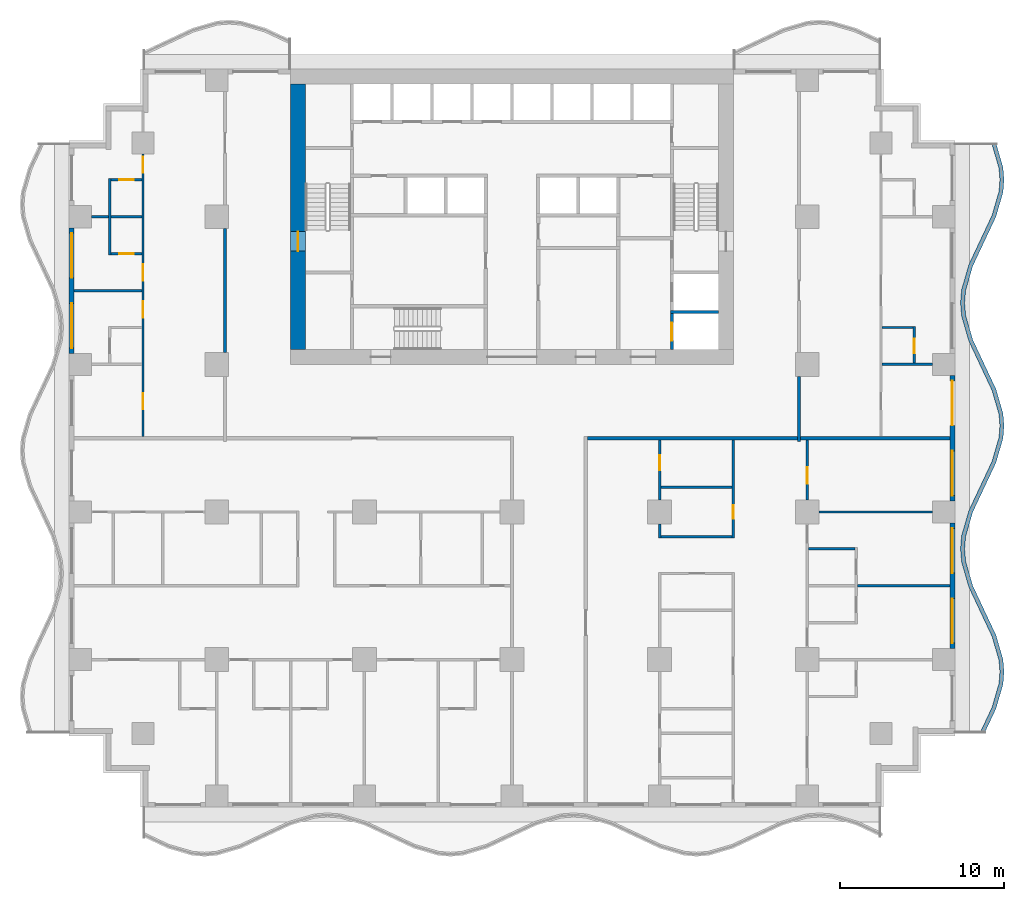
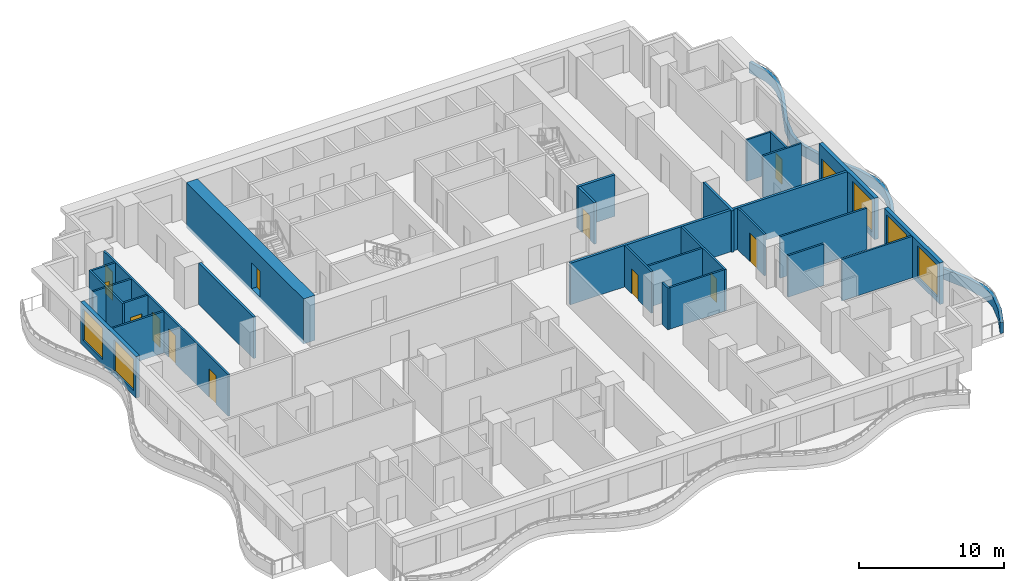
# One storey, part 4 of 13: 30 walls, 13 doors, 5 windows, 18 openings.
"""IFC4 building model written with IfcOpenShell, lengths in metres."""

from ifc_helpers import new_model, si_unit, direction, frame, frame_2d, origin, place, context, subcontext, project, spatial, polyline, rectangle, outline, extrude, material, layer, layer_set, type_object, element, fill, save


model = new_model("IFC4")

# Units and contexts
model_context = context("Model", 3, precision=1e-05, world=origin(), true_north=direction((0.0, 1.0)))
body_context = subcontext(model_context, "Body", "Model", "MODEL_VIEW")
ifc_project = project(units=[si_unit("LENGTHUNIT", "METRE"), si_unit("AREAUNIT", "SQUARE_METRE"), si_unit("VOLUMEUNIT", "CUBIC_METRE"), si_unit("PLANEANGLEUNIT", "RADIAN"), si_unit("MASSUNIT", "GRAM", prefix="KILO")], contexts=[model_context])

# Site, building, storey
site_placement = place(None, origin())
site = spatial("IfcSite", under=ifc_project, at=site_placement, CompositionType="ELEMENT")
building_placement = place(site_placement, origin())
building = spatial("IfcBuilding", under=site, at=building_placement, Name="Orbiselva Terraces", CompositionType="ELEMENT")
storey_placement = place(building_placement, frame((0.0, 0.0, 77.0)))
storey = spatial("IfcBuildingStorey", under=building, at=storey_placement, Name="L19", CompositionType="ELEMENT", Elevation=77.0)

# Wall, opening, door
ifc_material_1 = material(Name="Concrete C80/95", Category="concrete")
ifc_layer_1 = layer(ifc_material_1, 0.9)
ifc_layer_set_1 = layer_set([ifc_layer_1], Name="Concrete C80/95")
wall_type_1 = type_object("IfcWallType", Name="CORE WALL 900", PredefinedType="SHEAR", material=ifc_layer_set_1)
wall_1_placement = place(storey_placement, frame((-13.05, 21.6, -0.3), z_axis=(0.0, 0.0, 1.0), x_axis=(0.0, -1.0, 0.0)))
wall_1 = element("IfcWall", 1, at=wall_1_placement, inside=storey, type_object=wall_type_1, Name="Core wall L19 west", PredefinedType="SHEAR", context=body_context, shape_type="SweptSolid", body=[
    extrude(rectangle(XDim=16.2, YDim=0.9, at=frame_2d((8.1, 0.0))), origin(), (0.0, 0.0, 1.0), 3.8),
])
opening_1_placement = place(wall_1_placement, frame((9.0, 0.0, 0.3)))
opening_1 = element("IfcOpeningElement", 2, at=opening_1_placement, cuts=wall_1, Name="Opening DS1200", PredefinedType="OPENING", context=body_context, shape_type="SweptSolid", body=[
    extrude(rectangle(XDim=1.2, YDim=2.2, at=frame_2d((0.6, 1.1))), frame((0.0, 0.46, 0.0), z_axis=(0.0, -1.0, 0.0), x_axis=(1.0, 0.0, 0.0)), (0.0, 0.0, 1.0), 0.92),
])
ifc_material_2 = material(Name="Steel fire door", Category="steel")
door_type_1 = type_object("IfcDoorType", Name="STAIR DOOR 1200", OperationType="NOTDEFINED", PredefinedType="DOOR", material=ifc_material_2)
door_1_placement = place(opening_1_placement, frame((1.2, 0.0, 0.0), z_axis=(0.0, 0.0, 1.0), x_axis=(-1.0, 0.0, 0.0)))
door_1 = element("IfcDoor", 3, at=door_1_placement, inside=storey, type_object=door_type_1, Name="L19 EXIT STAIR S1 door", OperationType="SINGLE_SWING_RIGHT", OverallHeight=2.2, OverallWidth=1.2, PredefinedType="DOOR", context=body_context, shape_type="SweptSolid", body=[
    extrude(rectangle(XDim=1.2, YDim=2.2, at=frame_2d((0.6, 1.1))), frame((0.0, 0.025, 0.0), z_axis=(0.0, -1.0, 0.0), x_axis=(1.0, 0.0, 0.0)), (0.0, 0.0, 1.0), 0.05),
])
fill(opening_1, door_1)

ifc_material_3 = material(Name="Concrete C60/75", Category="concrete")
ifc_layer_2 = layer(ifc_material_3, 0.2)
ifc_layer_set_2 = layer_set([ifc_layer_2], Name="Concrete C60/75")
wall_type_2 = type_object("IfcWallType", Name="CORE-WALL-SHEAR-200", PredefinedType="SHEAR", material=ifc_layer_set_2)
wall_2_placement = place(storey_placement, frame((9.75, 5.4, 0.0), z_axis=(0.0, 0.0, 1.0), x_axis=(0.0, 1.0, 0.0)))
wall_2 = element("IfcWall", 4, at=wall_2_placement, inside=storey, type_object=wall_type_2, Name="L19 core wall 38", PredefinedType="SHEAR", context=body_context, shape_type="SweptSolid", body=[
    extrude(rectangle(XDim=2.2, YDim=0.2, at=frame_2d((1.1, 0.0))), origin(), (0.0, 0.0, 1.0), 3.5),
])
opening_2_placement = place(wall_2_placement, frame((0.55, 0.0, 0.0)))
opening_2 = element("IfcOpeningElement", 5, at=opening_2_placement, cuts=wall_2, Name="Opening LD-FF1", PredefinedType="OPENING", context=body_context, shape_type="SweptSolid", body=[
    extrude(rectangle(XDim=1.1, YDim=2.1, at=frame_2d((0.55, 1.05))), frame((0.0, 0.11, 0.0), z_axis=(0.0, -1.0, 0.0), x_axis=(1.0, 0.0, 0.0)), (0.0, 0.0, 1.0), 0.22),
])
ifc_material_4 = material(Name="Stainless steel landing door", Category="steel")
door_type_2 = type_object("IfcDoorType", Name="LANDING DOOR 1100", OperationType="SLIDING_TO_LEFT", PredefinedType="DOOR", material=ifc_material_4)
door_2_placement = place(opening_2_placement, origin())
door_2 = element("IfcDoor", 6, at=door_2_placement, inside=storey, type_object=door_type_2, Name="L19 landing door FF1", OperationType="SLIDING_TO_RIGHT", OverallHeight=2.1, OverallWidth=1.1, PredefinedType="DOOR", context=body_context, shape_type="SweptSolid", body=[
    extrude(rectangle(XDim=1.1, YDim=2.1, at=frame_2d((0.55, 1.05))), frame((0.0, 0.025, 0.0), z_axis=(0.0, -1.0, 0.0), x_axis=(1.0, 0.0, 0.0)), (0.0, 0.0, 1.0), 0.05),
])
fill(opening_2, door_2)

# Walls
wall_3_placement = place(storey_placement, frame((9.65, 7.7, 0.0), z_axis=(0.0, 0.0, 1.0), x_axis=(1.0, 0.0, 0.0)))
element("IfcWall", 7, at=wall_3_placement, inside=storey, type_object=wall_type_2, Name="L19 core wall 39", PredefinedType="SHEAR", context=body_context, shape_type="SweptSolid", body=[
    extrude(rectangle(XDim=2.95, YDim=0.2, at=frame_2d((1.475, 0.0))), origin(), (0.0, 0.0, 1.0), 3.5),
])
ifc_material_5 = material(Name="Concrete C40/50", Category="concrete")
ifc_layer_3 = layer(ifc_material_5, 0.25)
ifc_layer_set_3 = layer_set([ifc_layer_3], Name="Concrete C40/50")
wall_type_3 = type_object("IfcWallType", Name="ENV-PLANTER-250x900", PredefinedType="USERDEFINED", material=ifc_layer_set_3)
wall_4_placement = place(storey_placement, origin())
element("IfcWall", 8, at=wall_4_placement, inside=storey, type_object=wall_type_3, Name="Balcony planter L19 E", ObjectType="PLANTER", PredefinedType="USERDEFINED", context=body_context, shape_type="SweptSolid", body=[
    extrude(outline(polyline([(28.8, -18.0), (29.505342, -16.5), (29.941268, -15.0), (30.0, -14.25), (29.941268, -13.5), (29.505342, -12.0), (28.8, -10.5), (28.094658, -9.0), (27.658732, -7.5), (27.6, -6.75), (27.658732, -6.0), (28.094658, -4.5), (28.8, -3.0), (29.505342, -1.5), (29.941268, 0.0), (30.0, 0.75), (29.941268, 1.5), (29.505342, 3.0), (28.8, 4.5), (28.094658, 6.0), (27.658732, 7.5), (27.6, 8.25), (27.658732, 9.0), (28.094658, 10.5), (28.8, 12.0), (29.505342, 13.5), (29.941268, 15.0), (30.0, 15.75), (29.941268, 16.5), (29.505342, 18.0), (29.265274, 17.930232), (29.694035, 16.454886), (29.749235, 15.75), (29.694035, 15.045114), (29.270753, 13.588618), (28.573764, 12.106383), (27.860069, 10.588618), (27.411499, 9.045114), (27.349235, 8.25), (27.411499, 7.454886), (27.860069, 5.911382), (28.573764, 4.393617), (29.270753, 2.911382), (29.694035, 1.454886), (29.749235, 0.75), (29.694035, 0.045114), (29.270753, -1.411382), (28.573764, -2.893617), (27.860069, -4.411382), (27.411499, -5.954886), (27.349235, -6.75), (27.411499, -7.545114), (27.860069, -9.088618), (28.573764, -10.606383), (29.270753, -12.088618), (29.694035, -13.545114), (29.749235, -14.25), (29.694035, -14.954886), (29.270753, -16.411382), (28.573764, -17.893617), (28.8, -18.0)])), origin(), (0.0, 0.0, 1.0), 0.9),
])

# Wall, openings, windows
ifc_material_6 = material(Name="Terracotta cladding on masonry backing", Category="masonry")
ifc_layer_4 = layer(ifc_material_6, 0.3)
ifc_layer_set_4 = layer_set([ifc_layer_4], Name="Terracotta cladding on masonry backing")
wall_type_4 = type_object("IfcWallType", Name="ENV-WALL-TERRACOTTA-300", PredefinedType="SOLIDWALL", material=ifc_layer_set_4)
wall_5_placement = place(storey_placement, frame((26.85, -5.175, 0.0), z_axis=(0.0, 0.0, 1.0), x_axis=(0.0, -1.0, 0.0)))
wall_5 = element("IfcWall", 9, at=wall_5_placement, inside=storey, type_object=wall_type_4, Name="Facade wall L19 E", PredefinedType="SOLIDWALL", context=body_context, shape_type="SweptSolid", body=[
    extrude(rectangle(XDim=7.65, YDim=0.3, at=frame_2d((3.825, 0.0))), origin(), (0.0, 0.0, 1.0), 3.5),
])
opening_3_placement = place(wall_5_placement, frame((4.6, 0.0, 0.45)))
opening_3 = element("IfcOpeningElement", 10, at=opening_3_placement, cuts=wall_5, Name="Opening WN5", PredefinedType="OPENING", context=body_context, shape_type="SweptSolid", body=[
    extrude(rectangle(XDim=2.725, YDim=2.65, at=frame_2d((1.3625, 1.325))), frame((0.0, 0.16, 0.0), z_axis=(0.0, -1.0, 0.0), x_axis=(1.0, 0.0, 0.0)), (0.0, 0.0, 1.0), 0.32),
])
opening_4_placement = place(wall_5_placement, frame((0.325, 0.0, 0.45)))
opening_4 = element("IfcOpeningElement", 11, at=opening_4_placement, cuts=wall_5, Name="Opening WN5", PredefinedType="OPENING", context=body_context, shape_type="SweptSolid", body=[
    extrude(rectangle(XDim=2.725, YDim=2.65, at=frame_2d((1.3625, 1.325))), frame((0.0, 0.16, 0.0), z_axis=(0.0, -1.0, 0.0), x_axis=(1.0, 0.0, 0.0)), (0.0, 0.0, 1.0), 0.32),
])
ifc_material_7 = material(Name="Clear low-e glazing in aluminium frame", Category="aluminium")
window_type = type_object("IfcWindowType", Name="WINDOW 2725 X 2650 S450", PartitioningType="TRIPLE_PANEL_VERTICAL", PredefinedType="WINDOW", material=ifc_material_7)
window_1_placement = place(opening_3_placement, origin())
window_1 = element("IfcWindow", 12, at=window_1_placement, inside=storey, type_object=window_type, Name="Window L19 E", OverallHeight=2.65, OverallWidth=2.725, PartitioningType="SINGLE_PANEL", PredefinedType="WINDOW", context=body_context, shape_type="SweptSolid", body=[
    extrude(rectangle(XDim=2.725, YDim=2.65, at=frame_2d((1.3625, 1.325))), frame((0.0, 0.03, 0.0), z_axis=(0.0, -1.0, 0.0), x_axis=(1.0, 0.0, 0.0)), (0.0, 0.0, 1.0), 0.06),
])
fill(opening_3, window_1)
window_2_placement = place(opening_4_placement, origin())
window_2 = element("IfcWindow", 13, at=window_2_placement, inside=storey, type_object=window_type, Name="Window L19 E", OverallHeight=2.65, OverallWidth=2.725, PartitioningType="SINGLE_PANEL", PredefinedType="WINDOW", context=body_context, shape_type="SweptSolid", body=[
    extrude(rectangle(XDim=2.725, YDim=2.65, at=frame_2d((1.3625, 1.325))), frame((0.0, 0.03, 0.0), z_axis=(0.0, -1.0, 0.0), x_axis=(1.0, 0.0, 0.0)), (0.0, 0.0, 1.0), 0.06),
])
fill(opening_4, window_2)

# Wall, openings, door, window
wall_6_placement = place(storey_placement, frame((26.85, 3.825, 0.0), z_axis=(0.0, 0.0, 1.0), x_axis=(0.0, -1.0, 0.0)))
wall_6 = element("IfcWall", 14, at=wall_6_placement, inside=storey, type_object=wall_type_4, Name="Facade wall L19 E", PredefinedType="SOLIDWALL", context=body_context, shape_type="SweptSolid", body=[
    extrude(rectangle(XDim=7.65, YDim=0.3, at=frame_2d((3.825, 0.0))), origin(), (0.0, 0.0, 1.0), 3.5),
])
opening_5_placement = place(wall_6_placement, frame((4.6, 0.0, 0.45)))
opening_5 = element("IfcOpeningElement", 15, at=opening_5_placement, cuts=wall_6, Name="Opening WN5", PredefinedType="OPENING", context=body_context, shape_type="SweptSolid", body=[
    extrude(rectangle(XDim=2.725, YDim=2.65, at=frame_2d((1.3625, 1.325))), frame((0.0, 0.16, 0.0), z_axis=(0.0, -1.0, 0.0), x_axis=(1.0, 0.0, 0.0)), (0.0, 0.0, 1.0), 0.32),
])
opening_6_placement = place(wall_6_placement, frame((0.325, 0.0, 0.0)))
opening_6 = element("IfcOpeningElement", 16, at=opening_6_placement, cuts=wall_6, Name="Opening Z2-A-E06", PredefinedType="OPENING", context=body_context, shape_type="SweptSolid", body=[
    extrude(rectangle(XDim=2.725, YDim=2.4, at=frame_2d((1.3625, 1.2))), frame((0.0, 0.16, 0.0), z_axis=(0.0, -1.0, 0.0), x_axis=(1.0, 0.0, 0.0)), (0.0, 0.0, 1.0), 0.32),
])
door_type_3 = type_object("IfcDoorType", Name="BALCONY DOOR 2725 X 2400", OperationType="DOUBLE_DOOR_SLIDING", PredefinedType="DOOR", material=ifc_material_7)
door_3_placement = place(opening_6_placement, origin())
door_3 = element("IfcDoor", 17, at=door_3_placement, inside=storey, type_object=door_type_3, Name="Z2-A-E06", OperationType="SINGLE_SWING_LEFT", OverallHeight=2.4, OverallWidth=2.725, PredefinedType="DOOR", context=body_context, shape_type="SweptSolid", body=[
    extrude(rectangle(XDim=2.725, YDim=2.4, at=frame_2d((1.3625, 1.2))), frame((0.0, 0.025, 0.0), z_axis=(0.0, -1.0, 0.0), x_axis=(1.0, 0.0, 0.0)), (0.0, 0.0, 1.0), 0.05),
])
fill(opening_6, door_3)
window_3_placement = place(opening_5_placement, origin())
window_3 = element("IfcWindow", 18, at=window_3_placement, inside=storey, type_object=window_type, Name="Window L19 E", OverallHeight=2.65, OverallWidth=2.725, PartitioningType="SINGLE_PANEL", PredefinedType="WINDOW", context=body_context, shape_type="SweptSolid", body=[
    extrude(rectangle(XDim=2.725, YDim=2.65, at=frame_2d((1.3625, 1.325))), frame((0.0, 0.03, 0.0), z_axis=(0.0, -1.0, 0.0), x_axis=(1.0, 0.0, 0.0)), (0.0, 0.0, 1.0), 0.06),
])
fill(opening_5, window_3)

# Wall, openings, windows
wall_7_placement = place(storey_placement, frame((-26.85, 5.175, 0.0), z_axis=(0.0, 0.0, 1.0), x_axis=(0.0, 1.0, 0.0)))
wall_7 = element("IfcWall", 19, at=wall_7_placement, inside=storey, type_object=wall_type_4, Name="Facade wall L19 W", PredefinedType="SOLIDWALL", context=body_context, shape_type="SweptSolid", body=[
    extrude(rectangle(XDim=7.65, YDim=0.3, at=frame_2d((3.825, 0.0))), origin(), (0.0, 0.0, 1.0), 3.5),
])
opening_7_placement = place(wall_7_placement, frame((4.6, 0.0, 0.45)))
opening_7 = element("IfcOpeningElement", 20, at=opening_7_placement, cuts=wall_7, Name="Opening WN5", PredefinedType="OPENING", context=body_context, shape_type="SweptSolid", body=[
    extrude(rectangle(XDim=2.725, YDim=2.65, at=frame_2d((1.3625, 1.325))), frame((0.0, 0.16, 0.0), z_axis=(0.0, -1.0, 0.0), x_axis=(1.0, 0.0, 0.0)), (0.0, 0.0, 1.0), 0.32),
])
opening_8_placement = place(wall_7_placement, frame((0.325, 0.0, 0.45)))
opening_8 = element("IfcOpeningElement", 21, at=opening_8_placement, cuts=wall_7, Name="Opening WN5", PredefinedType="OPENING", context=body_context, shape_type="SweptSolid", body=[
    extrude(rectangle(XDim=2.725, YDim=2.65, at=frame_2d((1.3625, 1.325))), frame((0.0, 0.16, 0.0), z_axis=(0.0, -1.0, 0.0), x_axis=(1.0, 0.0, 0.0)), (0.0, 0.0, 1.0), 0.32),
])
window_4_placement = place(opening_7_placement, origin())
window_4 = element("IfcWindow", 22, at=window_4_placement, inside=storey, type_object=window_type, Name="Window L19 W", OverallHeight=2.65, OverallWidth=2.725, PartitioningType="SINGLE_PANEL", PredefinedType="WINDOW", context=body_context, shape_type="SweptSolid", body=[
    extrude(rectangle(XDim=2.725, YDim=2.65, at=frame_2d((1.3625, 1.325))), frame((0.0, 0.03, 0.0), z_axis=(0.0, -1.0, 0.0), x_axis=(1.0, 0.0, 0.0)), (0.0, 0.0, 1.0), 0.06),
])
fill(opening_7, window_4)
window_5_placement = place(opening_8_placement, origin())
window_5 = element("IfcWindow", 23, at=window_5_placement, inside=storey, type_object=window_type, Name="Window L19 W", OverallHeight=2.65, OverallWidth=2.725, PartitioningType="SINGLE_PANEL", PredefinedType="WINDOW", context=body_context, shape_type="SweptSolid", body=[
    extrude(rectangle(XDim=2.725, YDim=2.65, at=frame_2d((1.3625, 1.325))), frame((0.0, 0.03, 0.0), z_axis=(0.0, -1.0, 0.0), x_axis=(1.0, 0.0, 0.0)), (0.0, 0.0, 1.0), 0.06),
])
fill(opening_8, window_5)

# Walls
ifc_material_8 = material(Name="Plasterboard on steel stud partition", Category="steel")
ifc_layer_5 = layer(ifc_material_8, 0.2)
ifc_layer_set_5 = layer_set([ifc_layer_5], Name="Plasterboard on steel stud partition")
wall_type_5 = type_object("IfcWallType", Name="UNIT-ENTRANCE-WALL-200", PredefinedType="PARTITIONING", material=ifc_layer_set_5)
wall_8_placement = place(storey_placement, frame((4.6, 0.0, 0.0), z_axis=(0.0, 0.0, 1.0), x_axis=(1.0, 0.0, 0.0)))
element("IfcWall", 24, at=wall_8_placement, inside=storey, type_object=wall_type_5, Name="PARTITION L19-029", PredefinedType="PARTITIONING", context=body_context, shape_type="SweptSolid", body=[
    extrude(rectangle(XDim=12.8, YDim=0.2, at=frame_2d((6.4, 0.0))), origin(), (0.0, 0.0, 1.0), 3.5),
])
wall_9_placement = place(storey_placement, frame((-17.5, 5.225, 0.0), z_axis=(0.0, 0.0, 1.0), x_axis=(0.0, 1.0, 0.0)))
element("IfcWall", 25, at=wall_9_placement, inside=storey, type_object=wall_type_5, Name="PARTITION L19-052", PredefinedType="PARTITIONING", context=body_context, shape_type="SweptSolid", body=[
    extrude(rectangle(XDim=7.55, YDim=0.2, at=frame_2d((3.775, 0.0))), origin(), (0.0, 0.0, 1.0), 3.5),
])
wall_10_placement = place(storey_placement, frame((17.5, -0.2, 0.0), z_axis=(0.0, 0.0, 1.0), x_axis=(0.0, 1.0, 0.0)))
element("IfcWall", 26, at=wall_10_placement, inside=storey, type_object=wall_type_5, Name="PARTITION L19-075", PredefinedType="PARTITIONING", context=body_context, shape_type="SweptSolid", body=[
    extrude(rectangle(XDim=3.975, YDim=0.2, at=frame_2d((1.9875, 0.0))), origin(), (0.0, 0.0, 1.0), 3.5),
])
ifc_layer_6 = layer(ifc_material_8, 0.15)
ifc_layer_set_6 = layer_set([ifc_layer_6], Name="Plasterboard on steel stud partition")
wall_type_6 = type_object("IfcWallType", Name="UNIT-PARTITION-150", PredefinedType="PARTITIONING", material=ifc_layer_set_6)
wall_11_placement = place(storey_placement, frame((21.075, -9.0, 0.0), z_axis=(0.0, 0.0, 1.0), x_axis=(1.0, 0.0, 0.0)))
element("IfcWall", 27, at=wall_11_placement, inside=storey, type_object=wall_type_6, Name="PARTITION L19-018", PredefinedType="PARTITIONING", context=body_context, shape_type="SweptSolid", body=[
    extrude(rectangle(XDim=5.625, YDim=0.15, at=frame_2d((2.8125, 0.0))), origin(), (0.0, 0.0, 1.0), 3.5),
])
wall_12_placement = place(storey_placement, frame((18.075, -6.75, 0.0), z_axis=(0.0, 0.0, 1.0), x_axis=(1.0, 0.0, 0.0)))
element("IfcWall", 28, at=wall_12_placement, inside=storey, type_object=wall_type_6, Name="PARTITION L19-020", PredefinedType="PARTITIONING", context=body_context, shape_type="SweptSolid", body=[
    extrude(rectangle(XDim=2.85, YDim=0.15, at=frame_2d((1.425, 0.0))), origin(), (0.0, 0.0, 1.0), 3.5),
])
wall_13_placement = place(storey_placement, frame((9.075, -6.0, 0.0), z_axis=(0.0, 0.0, 1.0), x_axis=(1.0, 0.0, 0.0)))
element("IfcWall", 29, at=wall_13_placement, inside=storey, type_object=wall_type_6, Name="PARTITION L19-021", PredefinedType="PARTITIONING", context=body_context, shape_type="SweptSolid", body=[
    extrude(rectangle(XDim=4.35, YDim=0.15, at=frame_2d((2.175, 0.0))), origin(), (0.0, 0.0, 1.0), 3.5),
])
wall_14_placement = place(storey_placement, frame((18.725, -4.5, 0.0), z_axis=(0.0, 0.0, 1.0), x_axis=(1.0, 0.0, 0.0)))
element("IfcWall", 30, at=wall_14_placement, inside=storey, type_object=wall_type_6, Name="PARTITION L19-026", PredefinedType="PARTITIONING", context=body_context, shape_type="SweptSolid", body=[
    extrude(rectangle(XDim=6.925, YDim=0.15, at=frame_2d((3.4625, 0.0))), origin(), (0.0, 0.0, 1.0), 3.5),
])
wall_15_placement = place(storey_placement, frame((9.075, -3.0, 0.0), z_axis=(0.0, 0.0, 1.0), x_axis=(1.0, 0.0, 0.0)))
element("IfcWall", 31, at=wall_15_placement, inside=storey, type_object=wall_type_6, Name="PARTITION L19-027", PredefinedType="PARTITIONING", context=body_context, shape_type="SweptSolid", body=[
    extrude(rectangle(XDim=4.35, YDim=0.15, at=frame_2d((2.175, 0.0))), origin(), (0.0, 0.0, 1.0), 3.5),
])
wall_16_placement = place(storey_placement, frame((22.575, 4.5, 0.0), z_axis=(0.0, 0.0, 1.0), x_axis=(1.0, 0.0, 0.0)))
element("IfcWall", 32, at=wall_16_placement, inside=storey, type_object=wall_type_6, Name="PARTITION L19-033", PredefinedType="PARTITIONING", context=body_context, shape_type="SweptSolid", body=[
    extrude(rectangle(XDim=3.075, YDim=0.15, at=frame_2d((1.5375, 0.0))), origin(), (0.0, 0.0, 1.0), 3.5),
])
wall_17_placement = place(storey_placement, frame((22.575, 6.75, 0.0), z_axis=(0.0, 0.0, 1.0), x_axis=(1.0, 0.0, 0.0)))
element("IfcWall", 33, at=wall_17_placement, inside=storey, type_object=wall_type_6, Name="PARTITION L19-035", PredefinedType="PARTITIONING", context=body_context, shape_type="SweptSolid", body=[
    extrude(rectangle(XDim=1.875, YDim=0.15, at=frame_2d((0.9375, 0.0))), origin(), (0.0, 0.0, 1.0), 3.5),
])
wall_18_placement = place(storey_placement, frame((-26.7, 9.0, 0.0), z_axis=(0.0, 0.0, 1.0), x_axis=(1.0, 0.0, 0.0)))
element("IfcWall", 34, at=wall_18_placement, inside=storey, type_object=wall_type_6, Name="PARTITION L19-036", PredefinedType="PARTITIONING", context=body_context, shape_type="SweptSolid", body=[
    extrude(rectangle(XDim=4.125, YDim=0.15, at=frame_2d((2.0625, 0.0))), origin(), (0.0, 0.0, 1.0), 3.5),
])

# Wall, opening, door
wall_19_placement = place(storey_placement, frame((-24.45, 11.25, 0.0), z_axis=(0.0, 0.0, 1.0), x_axis=(1.0, 0.0, 0.0)))
wall_19 = element("IfcWall", 35, at=wall_19_placement, inside=storey, type_object=wall_type_6, Name="PARTITION L19-037", PredefinedType="PARTITIONING", context=body_context, shape_type="SweptSolid", body=[
    extrude(rectangle(XDim=1.875, YDim=0.15, at=frame_2d((0.9375, 0.0))), origin(), (0.0, 0.0, 1.0), 3.5),
])
opening_9_placement = place(wall_19_placement, frame((0.5, 0.0, 0.0)))
opening_9 = element("IfcOpeningElement", 36, at=opening_9_placement, cuts=wall_19, Name="Opening Z2-A-06", PredefinedType="OPENING", context=body_context, shape_type="SweptSolid", body=[
    extrude(rectangle(XDim=0.9, YDim=2.1, at=frame_2d((0.45, 1.05))), frame((0.0, 0.085, 0.0), z_axis=(0.0, -1.0, 0.0), x_axis=(1.0, 0.0, 0.0)), (0.0, 0.0, 1.0), 0.17),
])
ifc_material_9 = material(Name="Painted timber door leaf", Category="wood")
door_type_4 = type_object("IfcDoorType", Name="BATH DOOR 900", OperationType="NOTDEFINED", PredefinedType="DOOR", material=ifc_material_9)
door_4_placement = place(opening_9_placement, origin())
door_4 = element("IfcDoor", 37, at=door_4_placement, inside=storey, type_object=door_type_4, Name="Z2-A-06", OperationType="SINGLE_SWING_RIGHT", OverallHeight=2.1, OverallWidth=0.9, PredefinedType="DOOR", context=body_context, shape_type="SweptSolid", body=[
    extrude(rectangle(XDim=0.9, YDim=2.1, at=frame_2d((0.45, 1.05))), frame((0.0, 0.025, 0.0), z_axis=(0.0, -1.0, 0.0), x_axis=(1.0, 0.0, 0.0)), (0.0, 0.0, 1.0), 0.05),
])
fill(opening_9, door_4)

# Walls
wall_20_placement = place(storey_placement, frame((-25.65, 13.5, 0.0), z_axis=(0.0, 0.0, 1.0), x_axis=(1.0, 0.0, 0.0)))
element("IfcWall", 38, at=wall_20_placement, inside=storey, type_object=wall_type_6, Name="PARTITION L19-038", PredefinedType="PARTITIONING", context=body_context, shape_type="SweptSolid", body=[
    extrude(rectangle(XDim=1.05, YDim=0.15, at=frame_2d((0.525, 0.0))), origin(), (0.0, 0.0, 1.0), 3.5),
])
wall_21_placement = place(storey_placement, frame((-24.45, 13.5, 0.0), z_axis=(0.0, 0.0, 1.0), x_axis=(1.0, 0.0, 0.0)))
element("IfcWall", 39, at=wall_21_placement, inside=storey, type_object=wall_type_6, Name="PARTITION L19-039", PredefinedType="PARTITIONING", context=body_context, shape_type="SweptSolid", body=[
    extrude(rectangle(XDim=1.875, YDim=0.15, at=frame_2d((0.9375, 0.0))), origin(), (0.0, 0.0, 1.0), 3.5),
])

# Wall, opening, door
wall_22_placement = place(storey_placement, frame((-22.575, 15.75, 0.0), z_axis=(0.0, 0.0, 1.0), x_axis=(-1.0, 0.0, 0.0)))
wall_22 = element("IfcWall", 40, at=wall_22_placement, inside=storey, type_object=wall_type_6, Name="PARTITION L19-041", PredefinedType="PARTITIONING", context=body_context, shape_type="SweptSolid", body=[
    extrude(rectangle(XDim=1.875, YDim=0.15, at=frame_2d((0.9375, 0.0))), origin(), (0.0, 0.0, 1.0), 3.5),
])
opening_10_placement = place(wall_22_placement, frame((0.475, 0.0, 0.0)))
opening_10 = element("IfcOpeningElement", 41, at=opening_10_placement, cuts=wall_22, Name="Opening Z2-A-08", PredefinedType="OPENING", context=body_context, shape_type="SweptSolid", body=[
    extrude(rectangle(XDim=0.9, YDim=2.1, at=frame_2d((0.45, 1.05))), frame((0.0, 0.085, 0.0), z_axis=(0.0, -1.0, 0.0), x_axis=(1.0, 0.0, 0.0)), (0.0, 0.0, 1.0), 0.17),
])
door_5_placement = place(opening_10_placement, origin())
door_5 = element("IfcDoor", 42, at=door_5_placement, inside=storey, type_object=door_type_4, Name="Z2-A-08", OperationType="SINGLE_SWING_LEFT", OverallHeight=2.1, OverallWidth=0.9, PredefinedType="DOOR", context=body_context, shape_type="SweptSolid", body=[
    extrude(rectangle(XDim=0.9, YDim=2.1, at=frame_2d((0.45, 1.05))), frame((0.0, 0.025, 0.0), z_axis=(0.0, -1.0, 0.0), x_axis=(1.0, 0.0, 0.0)), (0.0, 0.0, 1.0), 0.05),
])
fill(opening_10, door_5)

# Wall
wall_23_placement = place(storey_placement, frame((-24.525, 11.175, 0.0), z_axis=(0.0, 0.0, 1.0), x_axis=(0.0, 1.0, 0.0)))
element("IfcWall", 43, at=wall_23_placement, inside=storey, type_object=wall_type_6, Name="PARTITION L19-044", PredefinedType="PARTITIONING", context=body_context, shape_type="SweptSolid", body=[
    extrude(rectangle(XDim=4.65, YDim=0.15, at=frame_2d((2.325, 0.0))), origin(), (0.0, 0.0, 1.0), 3.5),
])

# Wall, openings, doors
wall_24_placement = place(storey_placement, frame((-22.5, 0.1, 0.0), z_axis=(0.0, 0.0, 1.0), x_axis=(0.0, 1.0, 0.0)))
wall_24 = element("IfcWall", 44, at=wall_24_placement, inside=storey, type_object=wall_type_6, Name="PARTITION L19-046", PredefinedType="PARTITIONING", context=body_context, shape_type="SweptSolid", body=[
    extrude(rectangle(XDim=17.225, YDim=0.15, at=frame_2d((8.6125, 0.0))), origin(), (0.0, 0.0, 1.0), 3.5),
])
opening_11_placement = place(wall_24_placement, frame((1.65, 0.0, 0.0)))
opening_11 = element("IfcOpeningElement", 45, at=opening_11_placement, cuts=wall_24, Name="Opening Z2-A-02", PredefinedType="OPENING", context=body_context, shape_type="SweptSolid", body=[
    extrude(rectangle(XDim=1.0, YDim=2.4, at=frame_2d((0.5, 1.2))), frame((0.0, 0.085, 0.0), z_axis=(0.0, -1.0, 0.0), x_axis=(1.0, 0.0, 0.0)), (0.0, 0.0, 1.0), 0.17),
])
opening_12_placement = place(wall_24_placement, frame((7.25, 0.0, 0.0)))
opening_12 = element("IfcOpeningElement", 46, at=opening_12_placement, cuts=wall_24, Name="Opening Z2-A-03", PredefinedType="OPENING", context=body_context, shape_type="SweptSolid", body=[
    extrude(rectangle(XDim=1.0, YDim=2.4, at=frame_2d((0.5, 1.2))), frame((0.0, 0.085, 0.0), z_axis=(0.0, -1.0, 0.0), x_axis=(1.0, 0.0, 0.0)), (0.0, 0.0, 1.0), 0.17),
])
opening_13_placement = place(wall_24_placement, frame((9.5, 0.0, 0.0)))
opening_13 = element("IfcOpeningElement", 47, at=opening_13_placement, cuts=wall_24, Name="Opening Z2-A-05", PredefinedType="OPENING", context=body_context, shape_type="SweptSolid", body=[
    extrude(rectangle(XDim=1.0, YDim=2.4, at=frame_2d((0.5, 1.2))), frame((0.0, 0.085, 0.0), z_axis=(0.0, -1.0, 0.0), x_axis=(1.0, 0.0, 0.0)), (0.0, 0.0, 1.0), 0.17),
])
opening_14_placement = place(wall_24_placement, frame((16.075, 0.0, 0.0)))
opening_14 = element("IfcOpeningElement", 48, at=opening_14_placement, cuts=wall_24, Name="Opening Z2-A-07", PredefinedType="OPENING", context=body_context, shape_type="SweptSolid", body=[
    extrude(rectangle(XDim=1.0, YDim=2.4, at=frame_2d((0.5, 1.2))), frame((0.0, 0.085, 0.0), z_axis=(0.0, -1.0, 0.0), x_axis=(1.0, 0.0, 0.0)), (0.0, 0.0, 1.0), 0.17),
])
door_type_5 = type_object("IfcDoorType", Name="ROOM DOOR 1000", OperationType="NOTDEFINED", PredefinedType="DOOR", material=ifc_material_9)
door_6_placement = place(opening_11_placement, origin())
door_6 = element("IfcDoor", 49, at=door_6_placement, inside=storey, type_object=door_type_5, Name="Z2-A-02", OperationType="SINGLE_SWING_LEFT", OverallHeight=2.4, OverallWidth=1.0, PredefinedType="DOOR", context=body_context, shape_type="SweptSolid", body=[
    extrude(rectangle(XDim=1.0, YDim=2.4, at=frame_2d((0.5, 1.2))), frame((0.0, 0.025, 0.0), z_axis=(0.0, -1.0, 0.0), x_axis=(1.0, 0.0, 0.0)), (0.0, 0.0, 1.0), 0.05),
])
fill(opening_11, door_6)
door_7_placement = place(opening_12_placement, origin())
door_7 = element("IfcDoor", 50, at=door_7_placement, inside=storey, type_object=door_type_5, Name="Z2-A-03", OperationType="SINGLE_SWING_LEFT", OverallHeight=2.4, OverallWidth=1.0, PredefinedType="DOOR", context=body_context, shape_type="SweptSolid", body=[
    extrude(rectangle(XDim=1.0, YDim=2.4, at=frame_2d((0.5, 1.2))), frame((0.0, 0.025, 0.0), z_axis=(0.0, -1.0, 0.0), x_axis=(1.0, 0.0, 0.0)), (0.0, 0.0, 1.0), 0.05),
])
fill(opening_12, door_7)
door_8_placement = place(opening_13_placement, origin())
door_8 = element("IfcDoor", 51, at=door_8_placement, inside=storey, type_object=door_type_5, Name="Z2-A-05", OperationType="SINGLE_SWING_RIGHT", OverallHeight=2.4, OverallWidth=1.0, PredefinedType="DOOR", context=body_context, shape_type="SweptSolid", body=[
    extrude(rectangle(XDim=1.0, YDim=2.4, at=frame_2d((0.5, 1.2))), frame((0.0, 0.025, 0.0), z_axis=(0.0, -1.0, 0.0), x_axis=(1.0, 0.0, 0.0)), (0.0, 0.0, 1.0), 0.05),
])
fill(opening_13, door_8)
door_9_placement = place(opening_14_placement, origin())
door_9 = element("IfcDoor", 52, at=door_9_placement, inside=storey, type_object=door_type_5, Name="Z2-A-07", OperationType="SINGLE_SWING_RIGHT", OverallHeight=2.4, OverallWidth=1.0, PredefinedType="DOOR", context=body_context, shape_type="SweptSolid", body=[
    extrude(rectangle(XDim=1.0, YDim=2.4, at=frame_2d((0.5, 1.2))), frame((0.0, 0.025, 0.0), z_axis=(0.0, -1.0, 0.0), x_axis=(1.0, 0.0, 0.0)), (0.0, 0.0, 1.0), 0.05),
])
fill(opening_14, door_9)

# Wall
wall_25_placement = place(storey_placement, frame((9.0, -6.075, 0.0), z_axis=(0.0, 0.0, 1.0), x_axis=(0.0, 1.0, 0.0)))
element("IfcWall", 53, at=wall_25_placement, inside=storey, type_object=wall_type_6, Name="PARTITION L19-071", PredefinedType="PARTITIONING", context=body_context, shape_type="SweptSolid", body=[
    extrude(rectangle(XDim=0.85, YDim=0.15, at=frame_2d((0.425, 0.0))), origin(), (0.0, 0.0, 1.0), 3.5),
])

# Wall, opening, door
wall_26_placement = place(storey_placement, frame((9.0, -0.1, 0.0), z_axis=(0.0, 0.0, 1.0), x_axis=(0.0, -1.0, 0.0)))
wall_26 = element("IfcWall", 54, at=wall_26_placement, inside=storey, type_object=wall_type_6, Name="PARTITION L19-072", PredefinedType="PARTITIONING", context=body_context, shape_type="SweptSolid", body=[
    extrude(rectangle(XDim=3.675, YDim=0.15, at=frame_2d((1.8375, 0.0))), origin(), (0.0, 0.0, 1.0), 3.5),
])
opening_15_placement = place(wall_26_placement, frame((0.95, 0.0, 0.0)))
opening_15 = element("IfcOpeningElement", 55, at=opening_15_placement, cuts=wall_26, Name="Opening Z2-A-39", PredefinedType="OPENING", context=body_context, shape_type="SweptSolid", body=[
    extrude(rectangle(XDim=0.9, YDim=2.1, at=frame_2d((0.45, 1.05))), frame((0.0, 0.085, 0.0), z_axis=(0.0, -1.0, 0.0), x_axis=(1.0, 0.0, 0.0)), (0.0, 0.0, 1.0), 0.17),
])
door_type_6 = type_object("IfcDoorType", Name="SERVICE DOOR 900", OperationType="NOTDEFINED", PredefinedType="DOOR", material=ifc_material_9)
door_10_placement = place(opening_15_placement, origin())
door_10 = element("IfcDoor", 56, at=door_10_placement, inside=storey, type_object=door_type_6, Name="Z2-A-39", OperationType="SINGLE_SWING_LEFT", OverallHeight=2.1, OverallWidth=0.9, PredefinedType="DOOR", context=body_context, shape_type="SweptSolid", body=[
    extrude(rectangle(XDim=0.9, YDim=2.1, at=frame_2d((0.45, 1.05))), frame((0.0, 0.025, 0.0), z_axis=(0.0, -1.0, 0.0), x_axis=(1.0, 0.0, 0.0)), (0.0, 0.0, 1.0), 0.05),
])
fill(opening_15, door_10)

wall_27_placement = place(storey_placement, frame((13.5, -6.075, 0.0), z_axis=(0.0, 0.0, 1.0), x_axis=(0.0, 1.0, 0.0)))
wall_27 = element("IfcWall", 57, at=wall_27_placement, inside=storey, type_object=wall_type_6, Name="PARTITION L19-074", PredefinedType="PARTITIONING", context=body_context, shape_type="SweptSolid", body=[
    extrude(rectangle(XDim=5.975, YDim=0.15, at=frame_2d((2.9875, 0.0))), origin(), (0.0, 0.0, 1.0), 3.5),
])
opening_16_placement = place(wall_27_placement, frame((1.175, 0.0, 0.0)))
opening_16 = element("IfcOpeningElement", 58, at=opening_16_placement, cuts=wall_27, Name="Opening Z2-A-38", PredefinedType="OPENING", context=body_context, shape_type="SweptSolid", body=[
    extrude(rectangle(XDim=0.8, YDim=2.0, at=frame_2d((0.4, 1.0))), frame((0.0, 0.085, 0.0), z_axis=(0.0, -1.0, 0.0), x_axis=(1.0, 0.0, 0.0)), (0.0, 0.0, 1.0), 0.17),
])
door_type_7 = type_object("IfcDoorType", Name="STORE DOOR 800", OperationType="NOTDEFINED", PredefinedType="DOOR", material=ifc_material_9)
door_11_placement = place(opening_16_placement, origin())
door_11 = element("IfcDoor", 59, at=door_11_placement, inside=storey, type_object=door_type_7, Name="Z2-A-38", OperationType="SINGLE_SWING_LEFT", OverallHeight=2.0, OverallWidth=0.8, PredefinedType="DOOR", context=body_context, shape_type="SweptSolid", body=[
    extrude(rectangle(XDim=0.8, YDim=2.0, at=frame_2d((0.4, 1.0))), frame((0.0, 0.025, 0.0), z_axis=(0.0, -1.0, 0.0), x_axis=(1.0, 0.0, 0.0)), (0.0, 0.0, 1.0), 0.05),
])
fill(opening_16, door_11)

wall_28_placement = place(storey_placement, frame((18.0, -0.1, 0.0), z_axis=(0.0, 0.0, 1.0), x_axis=(0.0, -1.0, 0.0)))
wall_28 = element("IfcWall", 60, at=wall_28_placement, inside=storey, type_object=wall_type_6, Name="PARTITION L19-080", PredefinedType="PARTITIONING", context=body_context, shape_type="SweptSolid", body=[
    extrude(rectangle(XDim=3.675, YDim=0.15, at=frame_2d((1.8375, 0.0))), origin(), (0.0, 0.0, 1.0), 3.5),
])
opening_17_placement = place(wall_28_placement, frame((1.675, 0.0, 0.0)))
opening_17 = element("IfcOpeningElement", 61, at=opening_17_placement, cuts=wall_28, Name="Opening Z2-A-46", PredefinedType="OPENING", context=body_context, shape_type="SweptSolid", body=[
    extrude(rectangle(XDim=1.0, YDim=2.4, at=frame_2d((0.5, 1.2))), frame((0.0, 0.085, 0.0), z_axis=(0.0, -1.0, 0.0), x_axis=(1.0, 0.0, 0.0)), (0.0, 0.0, 1.0), 0.17),
])
door_12_placement = place(opening_17_placement, origin())
door_12 = element("IfcDoor", 62, at=door_12_placement, inside=storey, type_object=door_type_5, Name="Z2-A-46", OperationType="SINGLE_SWING_RIGHT", OverallHeight=2.4, OverallWidth=1.0, PredefinedType="DOOR", context=body_context, shape_type="SweptSolid", body=[
    extrude(rectangle(XDim=1.0, YDim=2.4, at=frame_2d((0.5, 1.2))), frame((0.0, 0.025, 0.0), z_axis=(0.0, -1.0, 0.0), x_axis=(1.0, 0.0, 0.0)), (0.0, 0.0, 1.0), 0.05),
])
fill(opening_17, door_12)

wall_29_placement = place(storey_placement, frame((24.525, 4.575, 0.0), z_axis=(0.0, 0.0, 1.0), x_axis=(0.0, 1.0, 0.0)))
wall_29 = element("IfcWall", 63, at=wall_29_placement, inside=storey, type_object=wall_type_6, Name="PARTITION L19-085", PredefinedType="PARTITIONING", context=body_context, shape_type="SweptSolid", body=[
    extrude(rectangle(XDim=2.25, YDim=0.15, at=frame_2d((1.125, 0.0))), origin(), (0.0, 0.0, 1.0), 3.5),
])
opening_18_placement = place(wall_29_placement, frame((0.6, 0.0, 0.0)))
opening_18 = element("IfcOpeningElement", 64, at=opening_18_placement, cuts=wall_29, Name="Opening Z2-A-12", PredefinedType="OPENING", context=body_context, shape_type="SweptSolid", body=[
    extrude(rectangle(XDim=0.9, YDim=2.1, at=frame_2d((0.45, 1.05))), frame((0.0, 0.085, 0.0), z_axis=(0.0, -1.0, 0.0), x_axis=(1.0, 0.0, 0.0)), (0.0, 0.0, 1.0), 0.17),
])
door_13_placement = place(opening_18_placement, origin())
door_13 = element("IfcDoor", 65, at=door_13_placement, inside=storey, type_object=door_type_4, Name="Z2-A-12", OperationType="SINGLE_SWING_LEFT", OverallHeight=2.1, OverallWidth=0.9, PredefinedType="DOOR", context=body_context, shape_type="SweptSolid", body=[
    extrude(rectangle(XDim=0.9, YDim=2.1, at=frame_2d((0.45, 1.05))), frame((0.0, 0.025, 0.0), z_axis=(0.0, -1.0, 0.0), x_axis=(1.0, 0.0, 0.0)), (0.0, 0.0, 1.0), 0.05),
])
fill(opening_18, door_13)

# Wall
ifc_layer_7 = layer(ifc_material_8, 0.2)
ifc_layer_set_7 = layer_set([ifc_layer_7], Name="Plasterboard on steel stud partition")
wall_type_7 = type_object("IfcWallType", Name="UNIT-PARTY-WALL-200", PredefinedType="PARTITIONING", material=ifc_layer_set_7)
wall_30_placement = place(storey_placement, frame((17.6, 0.0, 0.0), z_axis=(0.0, 0.0, 1.0), x_axis=(1.0, 0.0, 0.0)))
element("IfcWall", 66, at=wall_30_placement, inside=storey, type_object=wall_type_7, Name="PARTITION L19-031", PredefinedType="PARTITIONING", context=body_context, shape_type="SweptSolid", body=[
    extrude(rectangle(XDim=9.1, YDim=0.2, at=frame_2d((4.55, 0.0))), origin(), (0.0, 0.0, 1.0), 3.5),
])

save(model, "model.ifc")
